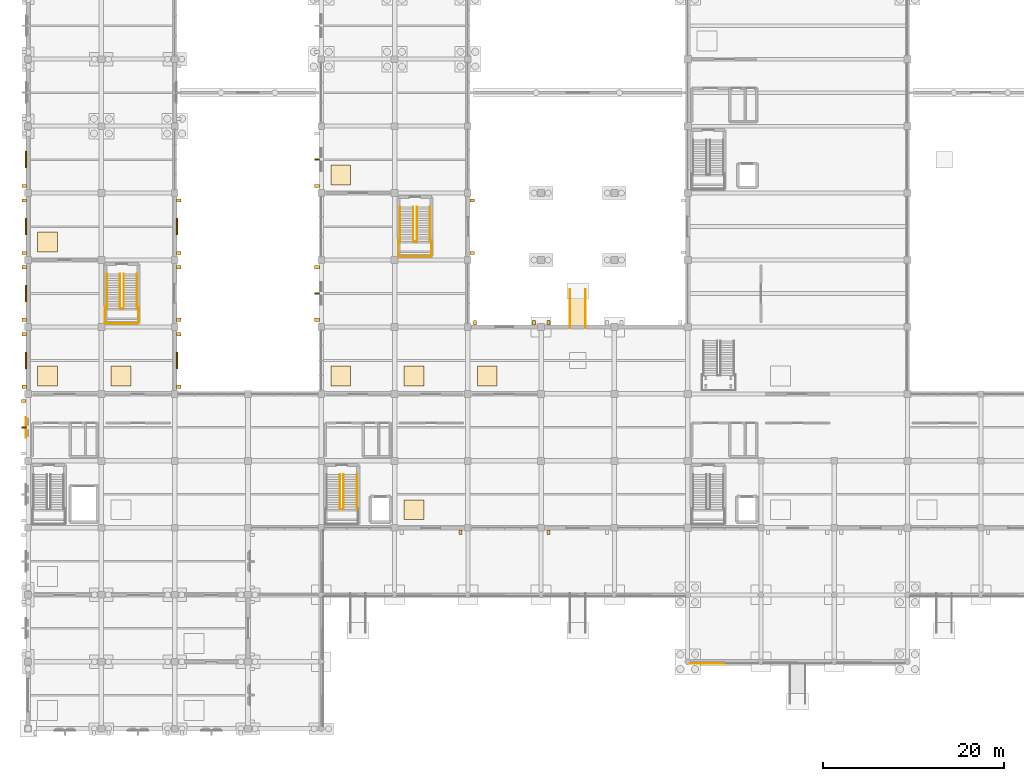
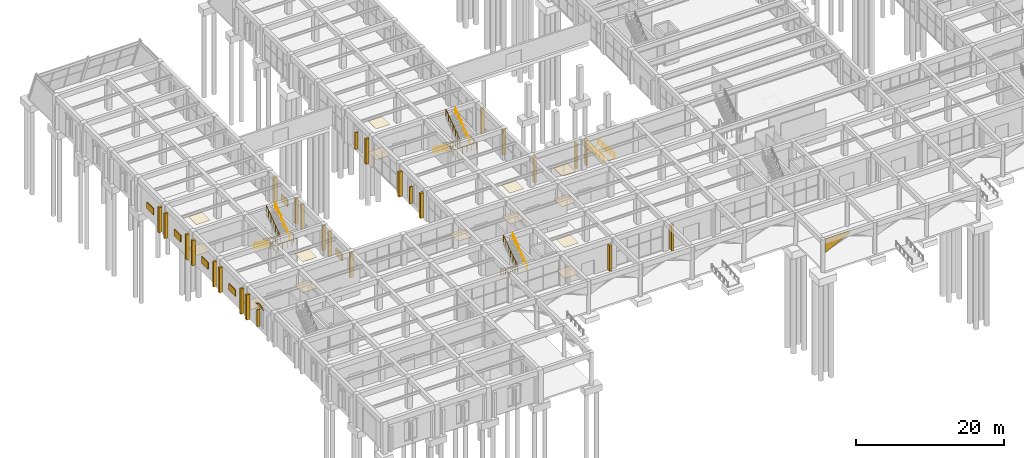
# One storey, part 134 of 140: 33 shading devices, 17 coverings, 12 railings.
"""IFC4 building model written with IfcOpenShell, lengths in metres."""

import ifcopenshell
import ifcopenshell.guid

model = None  # the IFC model being written
_history = None  # IfcOwnerHistory: only IFC2X3 demands one
_inside = {}  # id of a spatial element -> (the spatial element, [elements in it])
_under = {}  # id of a project, library or spatial element -> (it, [spatial elements below it])
_declared = {}  # id of a project -> (the project, [libraries it declares])
_typed = {}  # id of a type object -> (the type object, [elements of that type])
_made_of = {}  # id of a material, layer set ... -> (it, [elements and type objects made of it])


def new_model(schema):
    """Start an empty IFC model of exactly this schema.

    Asked for "IFC4X3", IfcOpenShell would pick the latest addendum, in which some entities
    have other attributes; the version numbers below select the first issue.
    IFC2X3 requires an IfcOwnerHistory on every rooted entity: one is made here for all.
    """
    global model, _history
    if schema == "IFC4X3":
        model = ifcopenshell.file(schema_version=(4, 3, 0, 0))
    else:
        model = ifcopenshell.file(schema=schema)
    _inside.clear()
    _under.clear()
    _declared.clear()
    _typed.clear()
    _made_of.clear()
    _history = None
    if model.schema == "IFC2X3":
        org = make("IfcOrganization", Name="unknown")
        user = make(
            "IfcPersonAndOrganization",
            ThePerson=make("IfcPerson", FamilyName="unknown"),
            TheOrganization=org,
        )
        app = make(
            "IfcApplication",
            ApplicationDeveloper=org,
            Version="unknown",
            ApplicationFullName="unknown",
            ApplicationIdentifier="unknown",
        )
        _history = make(
            "IfcOwnerHistory",
            OwningUser=user,
            OwningApplication=app,
            ChangeAction="ADDED",
            CreationDate=0,
        )
    return model


def make(cls, **values):
    """One entity of the class cls with the attributes given. An attribute that is None is left unset."""
    return model.create_entity(
        cls, **{name: value for name, value in values.items() if value is not None}
    )


def rooted(cls, **values):
    """An entity with a GlobalId (a new one), such as an element, a storey or a relation."""
    return make(cls, GlobalId=ifcopenshell.guid.new(), OwnerHistory=_history, **values)


def si_unit(unit_type, name, prefix=None):
    """IfcSIUnit, for example si_unit("LENGTHUNIT", "METRE", prefix="MILLI")."""
    return make("IfcSIUnit", UnitType=unit_type, Prefix=prefix, Name=name)


def assignment(units):
    """IfcUnitAssignment: the units of a project."""
    return None if units is None else make("IfcUnitAssignment", Units=units)


def point(xyz):
    """IfcCartesianPoint."""
    return None if xyz is None else make("IfcCartesianPoint", Coordinates=xyz)


def direction(xyz):
    """IfcDirection."""
    return None if xyz is None else make("IfcDirection", DirectionRatios=xyz)


def frame(location, z_axis=None, x_axis=None):
    """IfcAxis2Placement3D, a coordinate frame: its origin and axes. An axis left out is left unset."""
    return make(
        "IfcAxis2Placement3D",
        Location=point(location),
        Axis=direction(z_axis),
        RefDirection=direction(x_axis),
    )


def frame_2d(location, x_axis=None):
    """IfcAxis2Placement2D, a coordinate frame in the plane: its origin and x axis."""
    return make(
        "IfcAxis2Placement2D", Location=point(location), RefDirection=direction(x_axis)
    )


def origin():
    """The frame at (0, 0, 0) with its axes left unset."""
    return frame((0.0, 0.0, 0.0))


def origin_2d():
    """The frame at (0, 0) in the plane with its x axis left unset."""
    return frame_2d((0.0, 0.0))


def place(relative_to, where):
    """IfcLocalPlacement: puts the frame where relative to a parent placement (None: the world)."""
    return make(
        "IfcLocalPlacement", PlacementRelTo=relative_to, RelativePlacement=where
    )


def context(
    kind, dimensions, precision=None, world=None, true_north=None, identifier=None
):
    """IfcGeometricRepresentationContext, for example the 3D "Model" context."""
    return make(
        "IfcGeometricRepresentationContext",
        ContextIdentifier=identifier,
        ContextType=kind,
        CoordinateSpaceDimension=dimensions,
        Precision=precision,
        WorldCoordinateSystem=world,
        TrueNorth=true_north,
    )


def subcontext(parent, identifier, kind, view, scale=None):
    """IfcGeometricRepresentationSubContext, for example "Body" below "Model"."""
    return make(
        "IfcGeometricRepresentationSubContext",
        ContextIdentifier=identifier,
        ContextType=kind,
        ParentContext=parent,
        TargetScale=scale,
        TargetView=view,
    )


def project(units=None, contexts=None):
    """IfcProject with its units and contexts."""
    return rooted(
        "IfcProject",
        Name="project",
        RepresentationContexts=contexts,
        UnitsInContext=assignment(units),
    )


def spatial(cls, under=None, at=None, **own):
    """A site, building, storey or space (cls), placed at a placement, below another one or the project."""
    s = rooted(cls, ObjectPlacement=at, **own)
    if under is not None:
        _under.setdefault(under.id(), (under, []))[1].append(s)
    return s


def polyline(points):
    """IfcPolyline through the points."""
    return make("IfcPolyline", Points=[point(p) for p in points])


def profile(cls, at=None, kind="AREA", **sizes):
    """A parametric profile (cls). Its sizes go by their IFC names, for example OverallWidth=200.0."""
    return make(cls, ProfileType=kind, Position=at, **sizes)


def rectangle(**sizes):
    """IfcRectangleProfileDef."""
    return profile("IfcRectangleProfileDef", **sizes)


def circle(**sizes):
    """IfcCircleProfileDef."""
    return profile("IfcCircleProfileDef", **sizes)


def outline(outer, holes=None, kind="AREA"):
    """IfcArbitraryClosedProfileDef: a profile drawn as a closed curve; with holes, ...WithVoids."""
    if holes is None:
        return make("IfcArbitraryClosedProfileDef", ProfileType=kind, OuterCurve=outer)
    return make(
        "IfcArbitraryProfileDefWithVoids",
        ProfileType=kind,
        OuterCurve=outer,
        InnerCurves=holes,
    )


def extrude(swept, where, along, depth):
    """IfcExtrudedAreaSolid: the profile swept, set in the frame where, extruded along a direction by depth."""
    return make(
        "IfcExtrudedAreaSolid",
        SweptArea=swept,
        Position=where,
        ExtrudedDirection=direction(along),
        Depth=depth,
    )


def shape(context_of_items, identifier, shape_type, items):
    """IfcShapeRepresentation: the items that make up one representation, for example the "Body"."""
    return make(
        "IfcShapeRepresentation",
        ContextOfItems=context_of_items,
        RepresentationIdentifier=identifier,
        RepresentationType=shape_type,
        Items=items,
    )


def material(Name=None, Category=None):
    """IfcMaterial."""
    return make("IfcMaterial", Name=Name, Category=Category)


def layer(
    of_material, thickness, ventilated=None, Name=None, Category=None, Priority=None
):
    """IfcMaterialLayer: one layer of a wall or slab, of a material (None: an air gap)."""
    return make(
        "IfcMaterialLayer",
        Material=of_material,
        LayerThickness=thickness,
        IsVentilated=ventilated,
        Name=Name,
        Category=Category,
        Priority=Priority,
    )


def layer_set(layers, Name=None):
    """IfcMaterialLayerSet."""
    return make("IfcMaterialLayerSet", MaterialLayers=layers, LayerSetName=Name)


def made_of(thing, what):
    """Note that an element or type object is made of a material, layer set ...; save() writes the relation."""
    if what is not None:
        _made_of.setdefault(what.id(), (what, []))[1].append(thing)
    return thing


def type_object(cls, material=None, **own):
    """A type object (cls), such as IfcWallType, which elements share."""
    return made_of(rooted(cls, **own), material)


def element(
    cls,
    number,
    at=None,
    inside=None,
    cuts=None,
    type_object=None,
    material=None,
    context=None,
    identifier="Body",
    shape_type=None,
    held_by="IfcProductDefinitionShape",
    body=None,
    shapes=None,
    **own,
):
    """One element of the class cls, such as IfcWall. Its Tag is "e" and its number.

    at: its placement. inside: the storey or other place that contains it. cuts: it is an
    opening in that element (IfcRelVoidsElement). A single representation is given by context,
    identifier, shape_type and body (its items); several are given by shapes. held_by: the class
    of the entity that holds the representations. save() writes the other relations.
    """
    e = rooted(cls, Tag="e%d" % number, ObjectPlacement=at, **own)
    if body is not None:
        shapes = [shape(context, identifier, shape_type, body)]
    if shapes is not None:
        e.Representation = make(held_by, Representations=shapes)
    if inside is not None:
        _inside.setdefault(inside.id(), (inside, []))[1].append(e)
    if cuts is not None:
        rooted(
            "IfcRelVoidsElement", RelatingBuildingElement=cuts, RelatedOpeningElement=e
        )
    if type_object is not None:
        _typed.setdefault(type_object.id(), (type_object, []))[1].append(e)
    return made_of(e, material)


def aggregate(whole, parts):
    """IfcRelAggregates: a whole, such as a stair, and the parts it consists of."""
    return rooted("IfcRelAggregates", RelatingObject=whole, RelatedObjects=parts)


def save(model, path):
    """Write the relations noted so far, then the file.

    IfcRelAggregates (storeys below a building ...), IfcRelContainedInSpatialStructure (elements
    in a storey), IfcRelDefinesByType, IfcRelAssociatesMaterial and IfcRelDeclares: one each for
    every whole, place, type object, material and project.
    """
    for whole, parts in _under.values():
        aggregate(whole, parts)
    for where, things in _inside.values():
        rooted(
            "IfcRelContainedInSpatialStructure",
            RelatedElements=things,
            RelatingStructure=where,
        )
    for kind, things in _typed.values():
        rooted("IfcRelDefinesByType", RelatedObjects=things, RelatingType=kind)
    for what, things in _made_of.values():
        rooted("IfcRelAssociatesMaterial", RelatedObjects=things, RelatingMaterial=what)
    for by, libraries in _declared.values():
        rooted("IfcRelDeclares", RelatingContext=by, RelatedDefinitions=libraries)
    model.write(path)


model = new_model("IFC4")

# Units and contexts
model_context = context("Model", 3, precision=1e-05, world=origin(), true_north=direction((0.0, 1.0)))
body_context = subcontext(model_context, "Body", "Model", "MODEL_VIEW")
ifc_project = project(units=[si_unit("LENGTHUNIT", "METRE"), si_unit("AREAUNIT", "SQUARE_METRE"), si_unit("VOLUMEUNIT", "CUBIC_METRE"), si_unit("PLANEANGLEUNIT", "RADIAN"), si_unit("MASSUNIT", "GRAM", prefix="KILO")], contexts=[model_context])

# Site, building, storey
site_placement = place(None, origin())
site = spatial("IfcSite", under=ifc_project, at=site_placement, CompositionType="ELEMENT")
building_placement = place(site_placement, origin())
building = spatial("IfcBuilding", under=site, at=building_placement, Name="Cimatlan Art Gallery", CompositionType="ELEMENT")
storey_placement = place(building_placement, origin())
storey = spatial("IfcBuildingStorey", under=building, at=storey_placement, Name="L00", CompositionType="ELEMENT", Elevation=0.0)

# Coverings
ifc_material_1 = material(Name="Micro-perforated acoustic gypsum ceiling")
ifc_layer_1 = layer(ifc_material_1, 0.030029296875)
ifc_layer_set_1 = layer_set([ifc_layer_1], Name="Micro-perforated acoustic gypsum ceiling")
covering_type_1 = type_object("IfcCoveringType", Name="COV-CEIL-ACOUSTIC-30", PredefinedType="CEILING", material=ifc_layer_set_1)
for number, where, z_axis, x_axis, name in (
    (1, (12.25, 40.699951171875, 5.10498046875), (0.0, 0.0, 1.0), (1.0, 0.0, 0.0), "CLG-L00-CNS-B1S"),
    (2, (4.14990234375, 55.5, 5.10498046875), (0.0, 0.0, 1.0), (1.0, 0.0, 0.0), "CLG-L00-CNS-01"),
    (3, (44.64990234375, 25.89990234375, 5.10498046875), (0.0, 0.0, 1.0), (1.0, 0.0, 0.0), "CLG-L00-FOY-01"),
    (4, (52.75, 40.699951171875, 5.10498046875), (0.0, 0.0, 1.0), (1.0, 0.0, 0.0), "CLG-L00-SCP-CL"),
    (5, (44.64990234375, 40.699951171875, 5.10498046875), (0.0, 0.0, 1.0), (1.0, 0.0, 0.0), "CLG-L00-GAL-W1E"),
    (6, (36.550048828125, 62.89990234375, 5.10498046875), (0.0, 0.0, 1.0), (1.0, 0.0, 0.0), "CLG-L00-GAL-W2"),
):
    element("IfcCovering", number, at=place(storey_placement, frame(where, z_axis=z_axis, x_axis=x_axis)), inside=storey, type_object=covering_type_1, Name=name, PredefinedType="CEILING", context=body_context, shape_type="SweptSolid", body=[
        extrude(rectangle(XDim=2.199951171875, YDim=2.199951171875, at=origin_2d()), origin(), (0.0, 0.0, 1.0), 0.030029296875),
    ])
ifc_material_2 = material(Name="Queretaro cantera limestone ashlar hood-mould", Category="masonry")
ifc_layer_2 = layer(ifc_material_2, 0.0419921875)
ifc_layer_set_2 = layer_set([ifc_layer_2], Name="Queretaro cantera limestone ashlar hood-mould")
covering_type_2 = type_object("IfcCoveringType", Name="COV-CLAD-CANTERA-42", PredefinedType="CLADDING", material=ifc_layer_set_2)
covering_1_placement = place(storey_placement, frame((75.179931640625, 8.905029296875, 2.85009765625), z_axis=(0.0, -1.0, 0.0), x_axis=(0.890144315747, 0.0, 0.455678721408)))
element("IfcCovering", 7, at=covering_1_placement, inside=storey, type_object=covering_type_2, Name="CLD-ARC-011", PredefinedType="CLADDING", context=body_context, shape_type="SweptSolid", body=[
    extrude(outline(polyline([(0.0, 0.0), (4.235290238400666, 0.0), (4.4083947526854335, 0.338150526196759), (1.0525332966890648, 2.056068205878879), (0.0, 0.0)])), origin(), (0.0, 0.0, -1.0), 0.0419921875),
])
covering_2_placement = place(storey_placement, frame((1.802001953125, 33.8701171875, 3.780029296875), z_axis=(1.0, 0.0, 0.0), x_axis=(0.0, 1.0, 0.0)))
element("IfcCovering", 8, at=covering_2_placement, inside=storey, type_object=covering_type_2, Name="CLD-005", PredefinedType="CLADDING", context=body_context, shape_type="SweptSolid", body=[
    extrude(outline(polyline([(0.0, 0.0), (2.259765625, 0.0), (1.1298828125, 0.52001953125), (0.0, 0.0)])), origin(), (0.0, 0.0, -1.0), 0.0419921875),
])
covering_3_placement = place(storey_placement, frame((61.85009765625, 50.280029296875, -0.360107421875), z_axis=(0.0, 0.083068783756, 0.996543815979), x_axis=(0.0, -0.996543815979, 0.083068783756)))
element("IfcCovering", 9, at=covering_3_placement, inside=storey, type_object=covering_type_2, Name="COV-RMP-05-FL1", PredefinedType="CLADDING", context=body_context, shape_type="SweptSolid", body=[
    extrude(outline(polyline([(0.0, 0.0), (4.335051093696874, 0.0), (4.335051093696874, 1.7998046875), (0.0, 1.7998046875), (0.0, 0.0)])), origin(), (0.0, 0.0, -1.0), 0.02490234375),
])
ifc_material_3 = material(Name="Honed Queretaro limestone terrazzo flooring", Category="masonry")
ifc_layer_3 = layer(ifc_material_3, 0.02001953125)
ifc_layer_set_3 = layer_set([ifc_layer_3], Name="Honed Queretaro limestone terrazzo flooring")
covering_type_3 = type_object("IfcCoveringType", Name="COV-FLR-TERRAZZO-20", PredefinedType="FLOORING", material=ifc_layer_set_3)
for number, where, z_axis, x_axis, name in (
    (10, (4.14990234375, 40.699951171875, 0.0), (0.0, 0.0, 1.0), (1.0, 0.0, 0.0), "FLR-L00-AST-01"),
    (11, (12.25, 40.699951171875, 0.0), (0.0, 0.0, 1.0), (1.0, 0.0, 0.0), "FLR-L00-CNS-B1S"),
    (12, (4.14990234375, 55.5, 0.0), (0.0, 0.0, 1.0), (1.0, 0.0, 0.0), "FLR-L00-CNS-01"),
    (13, (44.64990234375, 25.89990234375, 0.0), (0.0, 0.0, 1.0), (1.0, 0.0, 0.0), "FLR-L00-FOY-01"),
    (14, (52.75, 40.699951171875, 0.0), (0.0, 0.0, 1.0), (1.0, 0.0, 0.0), "FLR-L00-SCP-CL"),
    (15, (36.550048828125, 40.699951171875, 0.0), (0.0, 0.0, 1.0), (1.0, 0.0, 0.0), "FLR-L00-GAL-W1"),
    (16, (44.64990234375, 40.699951171875, 0.0), (0.0, 0.0, 1.0), (1.0, 0.0, 0.0), "FLR-L00-GAL-W1E"),
    (17, (36.550048828125, 62.89990234375, 0.0), (0.0, 0.0, 1.0), (1.0, 0.0, 0.0), "FLR-L00-GAL-W2"),
):
    element("IfcCovering", number, at=place(storey_placement, frame(where, z_axis=z_axis, x_axis=x_axis)), inside=storey, type_object=covering_type_3, Name=name, PredefinedType="FLOORING", context=body_context, shape_type="SweptSolid", body=[
        extrude(rectangle(XDim=2.199951171875, YDim=2.199951171875, at=origin_2d()), origin(), (0.0, 0.0, 1.0), 0.02001953125),
    ])

# Railings
ifc_material_4 = material(Name="Painted steel and bronze interior balustrade", Category="steel")
railing_type_1 = type_object("IfcRailingType", Name="RL-BAL-INT-1120", PredefinedType="BALUSTRADE", material=ifc_material_4)
railing_1_placement = place(storey_placement, frame((36.469970703125, 29.780029296875, 0.0)))
element("IfcRailing", 18, at=railing_1_placement, inside=storey, type_object=railing_type_1, Name="STR-C2-L00-GRD", PredefinedType="BALUSTRADE", context=body_context, shape_type="SweptSolid", body=[
    extrude(circle(Radius=0.02392578125, at=origin_2d()), frame((0.0, 0.0, 1.09619140625), z_axis=(0.0, -0.816969308413, 0.5766811503), x_axis=(1.0, 0.0, 0.0)), (0.0, 0.0, 1.0), 4.681884765625),
    extrude(circle(Radius=0.02392578125, at=origin_2d()), frame((0.0, -3.824951171875, 3.7958984375), z_axis=(1.0, 0.0, 0.0), x_axis=(0.0, 1.0, 0.0)), (0.0, 0.0, 1.0), 0.400146484375),
    extrude(circle(Radius=0.02392578125, at=origin_2d()), frame((0.400146484375, -3.824951171875, 3.7958984375), z_axis=(0.0, 0.816969308413, 0.5766811503), x_axis=(-1.0, 0.0, 0.0)), (0.0, 0.0, 1.0), 4.681884765625),
    extrude(circle(Radius=0.02001953125, at=origin_2d()), origin(), (0.0, 0.0, 1.0), 1.072021484375),
    extrude(circle(Radius=0.02001953125, at=origin_2d()), frame((0.0, -0.637451171875, 0.449951171875)), (0.0, 0.0, 1.0), 1.072021484375),
    extrude(circle(Radius=0.02001953125, at=origin_2d()), frame((0.0, -1.27490234375, 0.89990234375)), (0.0, 0.0, 1.0), 1.072021484375),
    extrude(circle(Radius=0.02001953125, at=origin_2d()), frame((0.0, -1.91259765625, 1.35009765625)), (0.0, 0.0, 1.0), 1.072021484375),
    extrude(circle(Radius=0.02001953125, at=origin_2d()), frame((0.0, -2.550048828125, 1.800048828125)), (0.0, 0.0, 1.0), 1.072021484375),
    extrude(circle(Radius=0.02001953125, at=origin_2d()), frame((0.0, -3.1875, 2.25)), (0.0, 0.0, 1.0), 1.072021484375),
    extrude(circle(Radius=0.02001953125, at=origin_2d()), frame((0.0, -3.824951171875, 2.699951171875)), (0.0, 0.0, 1.0), 1.072021484375),
    extrude(circle(Radius=0.02001953125, at=origin_2d()), frame((0.400146484375, -3.824951171875, 2.699951171875)), (0.0, 0.0, 1.0), 1.072021484375),
    extrude(circle(Radius=0.02001953125, at=origin_2d()), frame((0.400146484375, -3.1875, 3.14990234375)), (0.0, 0.0, 1.0), 1.072021484375),
    extrude(circle(Radius=0.02001953125, at=origin_2d()), frame((0.400146484375, -2.550048828125, 3.599853515625)), (0.0, 0.0, 1.0), 1.072021484375),
    extrude(circle(Radius=0.02001953125, at=origin_2d()), frame((0.400146484375, -1.91259765625, 4.0498046875)), (0.0, 0.0, 1.0), 1.072021484375),
    extrude(circle(Radius=0.02001953125, at=origin_2d()), frame((0.400146484375, -1.27490234375, 4.5)), (0.0, 0.0, 1.0), 1.072021484375),
    extrude(circle(Radius=0.02001953125, at=origin_2d()), frame((0.400146484375, -0.637451171875, 4.949951171875)), (0.0, 0.0, 1.0), 1.072021484375),
    extrude(circle(Radius=0.02001953125, at=origin_2d()), frame((0.400146484375, 0.0, 5.39990234375)), (0.0, 0.0, 1.0), 1.072021484375),
])
railing_2_placement = place(storey_placement, frame((10.510009765625, 48.264892578125, 2.699951171875)))
element("IfcRailing", 19, at=railing_2_placement, inside=storey, type_object=railing_type_1, Name="STR-C7-L00-LGRD", PredefinedType="BALUSTRADE", context=body_context, shape_type="SweptSolid", body=[
    extrude(circle(Radius=0.02392578125, at=origin_2d()), frame((0.0, 0.0, 1.09619140625), z_axis=(0.0, -1.0, 0.0), x_axis=(1.0, 0.0, 0.0)), (0.0, 0.0, 1.0), 1.7548828125),
    extrude(circle(Radius=0.02392578125, at=origin_2d()), frame((0.0, -1.7548828125, 1.09619140625), z_axis=(1.0, 0.0, 0.0), x_axis=(0.0, 1.0, 0.0)), (0.0, 0.0, 1.0), 3.669921875),
    extrude(circle(Radius=0.02392578125, at=origin_2d()), frame((3.669921875, -1.7548828125, 1.09619140625), z_axis=(0.0, 1.0, 0.0), x_axis=(-1.0, 0.0, 0.0)), (0.0, 0.0, 1.0), 1.7548828125),
    extrude(circle(Radius=0.02001953125, at=origin_2d()), origin(), (0.0, 0.0, 1.0), 1.072021484375),
    extrude(circle(Radius=0.02001953125, at=origin_2d()), frame((0.0, -0.87744140625, 0.0)), (0.0, 0.0, 1.0), 1.072021484375),
    extrude(circle(Radius=0.02001953125, at=origin_2d()), frame((0.0, -1.7548828125, 0.0)), (0.0, 0.0, 1.0), 1.072021484375),
    extrude(circle(Radius=0.02001953125, at=origin_2d()), frame((0.73388671875, -1.7548828125, 0.0)), (0.0, 0.0, 1.0), 1.072021484375),
    extrude(circle(Radius=0.02001953125, at=origin_2d()), frame((1.468017578125, -1.7548828125, 0.0)), (0.0, 0.0, 1.0), 1.072021484375),
    extrude(circle(Radius=0.02001953125, at=origin_2d()), frame((2.201904296875, -1.7548828125, 0.0)), (0.0, 0.0, 1.0), 1.072021484375),
    extrude(circle(Radius=0.02001953125, at=origin_2d()), frame((2.93603515625, -1.7548828125, 0.0)), (0.0, 0.0, 1.0), 1.072021484375),
    extrude(circle(Radius=0.02001953125, at=origin_2d()), frame((3.669921875, -1.7548828125, 0.0)), (0.0, 0.0, 1.0), 1.072021484375),
    extrude(circle(Radius=0.02001953125, at=origin_2d()), frame((3.669921875, -0.87744140625, 0.0)), (0.0, 0.0, 1.0), 1.072021484375),
    extrude(circle(Radius=0.02001953125, at=origin_2d()), frame((3.669921875, 0.0, 0.0)), (0.0, 0.0, 1.0), 1.072021484375),
])
railing_3_placement = place(storey_placement, frame((12.169921875, 51.97998046875, 0.0)))
element("IfcRailing", 20, at=railing_3_placement, inside=storey, type_object=railing_type_1, Name="STR-C7-L00-GRD", PredefinedType="BALUSTRADE", context=body_context, shape_type="SweptSolid", body=[
    extrude(circle(Radius=0.02392578125, at=origin_2d()), frame((0.0, 0.0, 1.09619140625), z_axis=(0.0, -0.816969308413, 0.5766811503), x_axis=(1.0, 0.0, 0.0)), (0.0, 0.0, 1.0), 4.681884765625),
    extrude(circle(Radius=0.02392578125, at=origin_2d()), frame((0.0, -3.824951171875, 3.7958984375), z_axis=(1.0, 0.0, 0.0), x_axis=(0.0, 1.0, 0.0)), (0.0, 0.0, 1.0), 0.400146484375),
    extrude(circle(Radius=0.02392578125, at=origin_2d()), frame((0.400146484375, -3.824951171875, 3.7958984375), z_axis=(0.0, 0.816969308413, 0.5766811503), x_axis=(-1.0, 0.0, 0.0)), (0.0, 0.0, 1.0), 4.681884765625),
    extrude(circle(Radius=0.02001953125, at=origin_2d()), origin(), (0.0, 0.0, 1.0), 1.072021484375),
    extrude(circle(Radius=0.02001953125, at=origin_2d()), frame((0.0, -0.637451171875, 0.449951171875)), (0.0, 0.0, 1.0), 1.072021484375),
    extrude(circle(Radius=0.02001953125, at=origin_2d()), frame((0.0, -1.27490234375, 0.89990234375)), (0.0, 0.0, 1.0), 1.072021484375),
    extrude(circle(Radius=0.02001953125, at=origin_2d()), frame((0.0, -1.91259765625, 1.35009765625)), (0.0, 0.0, 1.0), 1.072021484375),
    extrude(circle(Radius=0.02001953125, at=origin_2d()), frame((0.0, -2.550048828125, 1.800048828125)), (0.0, 0.0, 1.0), 1.072021484375),
    extrude(circle(Radius=0.02001953125, at=origin_2d()), frame((0.0, -3.1875, 2.25)), (0.0, 0.0, 1.0), 1.072021484375),
    extrude(circle(Radius=0.02001953125, at=origin_2d()), frame((0.0, -3.824951171875, 2.699951171875)), (0.0, 0.0, 1.0), 1.072021484375),
    extrude(circle(Radius=0.02001953125, at=origin_2d()), frame((0.400146484375, -3.824951171875, 2.699951171875)), (0.0, 0.0, 1.0), 1.072021484375),
    extrude(circle(Radius=0.02001953125, at=origin_2d()), frame((0.400146484375, -3.1875, 3.14990234375)), (0.0, 0.0, 1.0), 1.072021484375),
    extrude(circle(Radius=0.02001953125, at=origin_2d()), frame((0.400146484375, -2.550048828125, 3.599853515625)), (0.0, 0.0, 1.0), 1.072021484375),
    extrude(circle(Radius=0.02001953125, at=origin_2d()), frame((0.400146484375, -1.91259765625, 4.0498046875)), (0.0, 0.0, 1.0), 1.072021484375),
    extrude(circle(Radius=0.02001953125, at=origin_2d()), frame((0.400146484375, -1.27490234375, 4.5)), (0.0, 0.0, 1.0), 1.072021484375),
    extrude(circle(Radius=0.02001953125, at=origin_2d()), frame((0.400146484375, -0.637451171875, 4.949951171875)), (0.0, 0.0, 1.0), 1.072021484375),
    extrude(circle(Radius=0.02001953125, at=origin_2d()), frame((0.400146484375, 0.0, 5.39990234375)), (0.0, 0.0, 1.0), 1.072021484375),
])
railing_4_placement = place(storey_placement, frame((42.909912109375, 55.6650390625, 2.699951171875)))
element("IfcRailing", 21, at=railing_4_placement, inside=storey, type_object=railing_type_1, Name="STR-C8-L00-LGRD", PredefinedType="BALUSTRADE", context=body_context, shape_type="SweptSolid", body=[
    extrude(circle(Radius=0.02392578125, at=origin_2d()), frame((0.0, 0.0, 1.09619140625), z_axis=(0.0, -1.0, 0.0), x_axis=(1.0, 0.0, 0.0)), (0.0, 0.0, 1.0), 1.755126953125),
    extrude(circle(Radius=0.02392578125, at=origin_2d()), frame((0.0, -1.755126953125, 1.09619140625), z_axis=(1.0, 0.0, 0.0), x_axis=(0.0, 1.0, 0.0)), (0.0, 0.0, 1.0), 3.670166015625),
    extrude(circle(Radius=0.02392578125, at=origin_2d()), frame((3.670166015625, -1.755126953125, 1.09619140625), z_axis=(0.0, 1.0, 0.0), x_axis=(-1.0, 0.0, 0.0)), (0.0, 0.0, 1.0), 1.755126953125),
    extrude(circle(Radius=0.02001953125, at=origin_2d()), origin(), (0.0, 0.0, 1.0), 1.072021484375),
    extrude(circle(Radius=0.02001953125, at=origin_2d()), frame((0.0, -0.87744140625, 0.0)), (0.0, 0.0, 1.0), 1.072021484375),
    extrude(circle(Radius=0.02001953125, at=origin_2d()), frame((0.0, -1.755126953125, 0.0)), (0.0, 0.0, 1.0), 1.072021484375),
    extrude(circle(Radius=0.02001953125, at=origin_2d()), frame((0.734130859375, -1.755126953125, 0.0)), (0.0, 0.0, 1.0), 1.072021484375),
    extrude(circle(Radius=0.02001953125, at=origin_2d()), frame((1.468017578125, -1.755126953125, 0.0)), (0.0, 0.0, 1.0), 1.072021484375),
    extrude(circle(Radius=0.02001953125, at=origin_2d()), frame((2.2021484375, -1.755126953125, 0.0)), (0.0, 0.0, 1.0), 1.072021484375),
    extrude(circle(Radius=0.02001953125, at=origin_2d()), frame((2.93603515625, -1.755126953125, 0.0)), (0.0, 0.0, 1.0), 1.072021484375),
    extrude(circle(Radius=0.02001953125, at=origin_2d()), frame((3.670166015625, -1.755126953125, 0.0)), (0.0, 0.0, 1.0), 1.072021484375),
    extrude(circle(Radius=0.02001953125, at=origin_2d()), frame((3.670166015625, -0.87744140625, 0.0)), (0.0, 0.0, 1.0), 1.072021484375),
    extrude(circle(Radius=0.02001953125, at=origin_2d()), frame((3.670166015625, 0.0, 0.0)), (0.0, 0.0, 1.0), 1.072021484375),
])
railing_5_placement = place(storey_placement, frame((44.570068359375, 59.3798828125, 0.0)))
element("IfcRailing", 22, at=railing_5_placement, inside=storey, type_object=railing_type_1, Name="STR-C8-L00-GRD", PredefinedType="BALUSTRADE", context=body_context, shape_type="SweptSolid", body=[
    extrude(circle(Radius=0.02392578125, at=origin_2d()), frame((0.0, 0.0, 1.09619140625), z_axis=(0.0, -0.816969308413, 0.5766811503), x_axis=(1.0, 0.0, 0.0)), (0.0, 0.0, 1.0), 4.681884765625),
    extrude(circle(Radius=0.02392578125, at=origin_2d()), frame((0.0, -3.824951171875, 3.7958984375), z_axis=(1.0, 0.0, 0.0), x_axis=(0.0, 1.0, 0.0)), (0.0, 0.0, 1.0), 0.39990234375),
    extrude(circle(Radius=0.02392578125, at=origin_2d()), frame((0.39990234375, -3.824951171875, 3.7958984375), z_axis=(0.0, 0.816969308413, 0.5766811503), x_axis=(-1.0, 0.0, 0.0)), (0.0, 0.0, 1.0), 4.681884765625),
    extrude(circle(Radius=0.02001953125, at=origin_2d()), origin(), (0.0, 0.0, 1.0), 1.072021484375),
    extrude(circle(Radius=0.02001953125, at=origin_2d()), frame((0.0, -0.637451171875, 0.449951171875)), (0.0, 0.0, 1.0), 1.072021484375),
    extrude(circle(Radius=0.02001953125, at=origin_2d()), frame((0.0, -1.27490234375, 0.89990234375)), (0.0, 0.0, 1.0), 1.072021484375),
    extrude(circle(Radius=0.02001953125, at=origin_2d()), frame((0.0, -1.91259765625, 1.35009765625)), (0.0, 0.0, 1.0), 1.072021484375),
    extrude(circle(Radius=0.02001953125, at=origin_2d()), frame((0.0, -2.550048828125, 1.800048828125)), (0.0, 0.0, 1.0), 1.072021484375),
    extrude(circle(Radius=0.02001953125, at=origin_2d()), frame((0.0, -3.1875, 2.25)), (0.0, 0.0, 1.0), 1.072021484375),
    extrude(circle(Radius=0.02001953125, at=origin_2d()), frame((0.0, -3.824951171875, 2.699951171875)), (0.0, 0.0, 1.0), 1.072021484375),
    extrude(circle(Radius=0.02001953125, at=origin_2d()), frame((0.39990234375, -3.824951171875, 2.699951171875)), (0.0, 0.0, 1.0), 1.072021484375),
    extrude(circle(Radius=0.02001953125, at=origin_2d()), frame((0.39990234375, -3.1875, 3.14990234375)), (0.0, 0.0, 1.0), 1.072021484375),
    extrude(circle(Radius=0.02001953125, at=origin_2d()), frame((0.39990234375, -2.550048828125, 3.599853515625)), (0.0, 0.0, 1.0), 1.072021484375),
    extrude(circle(Radius=0.02001953125, at=origin_2d()), frame((0.39990234375, -1.91259765625, 4.0498046875)), (0.0, 0.0, 1.0), 1.072021484375),
    extrude(circle(Radius=0.02001953125, at=origin_2d()), frame((0.39990234375, -1.27490234375, 4.5)), (0.0, 0.0, 1.0), 1.072021484375),
    extrude(circle(Radius=0.02001953125, at=origin_2d()), frame((0.39990234375, -0.637451171875, 4.949951171875)), (0.0, 0.0, 1.0), 1.072021484375),
    extrude(circle(Radius=0.02001953125, at=origin_2d()), frame((0.39990234375, 0.0, 5.39990234375)), (0.0, 0.0, 1.0), 1.072021484375),
])
ifc_material_5 = material(Name="Brushed bronze handrail")
railing_type_2 = type_object("IfcRailingType", Name="RL-HND-EXT-920", PredefinedType="HANDRAIL", material=ifc_material_5)
for number, where, name in (
    (23, (61.909912109375, 50.280029296875, -0.360107421875), "RMP-05-HR-L"),
    (24, (63.590087890625, 50.280029296875, -0.360107421875), "RMP-05-HR-R"),
):
    element("IfcRailing", number, at=place(storey_placement, frame(where)), inside=storey, type_object=railing_type_2, Name=name, PredefinedType="HANDRAIL", context=body_context, shape_type="SweptSolid", body=[
        extrude(circle(Radius=0.02197265625, at=origin_2d()), frame((0.0, 0.0, 0.89794921875), z_axis=(0.0, -0.996543815979, 0.083068783756), x_axis=(1.0, 0.0, 0.0)), (0.0, 0.0, 1.0), 4.3349609375),
        extrude(circle(Radius=0.01904296875, at=origin_2d()), origin(), (0.0, 0.0, 1.0), 0.8759765625),
        extrude(circle(Radius=0.01904296875, at=origin_2d()), frame((0.0, -1.080078125, 0.090087890625)), (0.0, 0.0, 1.0), 0.8759765625),
        extrude(circle(Radius=0.01904296875, at=origin_2d()), frame((0.0, -2.16015625, 0.18017578125)), (0.0, 0.0, 1.0), 0.8759765625),
        extrude(circle(Radius=0.01904296875, at=origin_2d()), frame((0.0, -3.239990234375, 0.27001953125)), (0.0, 0.0, 1.0), 0.8759765625),
        extrude(circle(Radius=0.01904296875, at=origin_2d()), frame((0.0, -4.320068359375, 0.360107421875)), (0.0, 0.0, 1.0), 0.8759765625),
    ])
ifc_material_6 = material(Name="Brushed bronze stair handrail")
railing_type_3 = type_object("IfcRailingType", Name="RL-HND-INT-920", PredefinedType="HANDRAIL", material=ifc_material_6)
railing_6_placement = place(storey_placement, frame((38.330078125, 25.955078125, 2.699951171875)))
element("IfcRailing", 25, at=railing_6_placement, inside=storey, type_object=railing_type_3, Name="STR-C2-L00-HR2", PredefinedType="HANDRAIL", context=body_context, shape_type="SweptSolid", body=[
    extrude(circle(Radius=0.02197265625, at=origin_2d()), frame((0.0, 0.0, 0.89794921875), z_axis=(0.0, 0.816969308413, 0.5766811503), x_axis=(-1.0, 0.0, 0.0)), (0.0, 0.0, 1.0), 4.681884765625),
    extrude(circle(Radius=0.01904296875, at=origin_2d()), origin(), (0.0, 0.0, 1.0), 0.8759765625),
    extrude(circle(Radius=0.01904296875, at=origin_2d()), frame((0.0, 0.764892578125, 0.5400390625)), (0.0, 0.0, 1.0), 0.8759765625),
    extrude(circle(Radius=0.01904296875, at=origin_2d()), frame((0.0, 1.530029296875, 1.080078125)), (0.0, 0.0, 1.0), 0.8759765625),
    extrude(circle(Radius=0.01904296875, at=origin_2d()), frame((0.0, 2.294921875, 1.619873046875)), (0.0, 0.0, 1.0), 0.8759765625),
    extrude(circle(Radius=0.01904296875, at=origin_2d()), frame((0.0, 3.06005859375, 2.159912109375)), (0.0, 0.0, 1.0), 0.8759765625),
    extrude(circle(Radius=0.01904296875, at=origin_2d()), frame((0.0, 3.824951171875, 2.699951171875)), (0.0, 0.0, 1.0), 0.8759765625),
])
railing_7_placement = place(storey_placement, frame((10.7099609375, 51.97998046875, 0.0)))
element("IfcRailing", 26, at=railing_7_placement, inside=storey, type_object=railing_type_3, Name="STR-C7-L00-HR1", PredefinedType="HANDRAIL", context=body_context, shape_type="SweptSolid", body=[
    extrude(circle(Radius=0.02197265625, at=origin_2d()), frame((0.0, 0.0, 0.89794921875), z_axis=(0.0, -0.816969308413, 0.5766811503), x_axis=(1.0, 0.0, 0.0)), (0.0, 0.0, 1.0), 4.681884765625),
    extrude(circle(Radius=0.01904296875, at=origin_2d()), origin(), (0.0, 0.0, 1.0), 0.8759765625),
    extrude(circle(Radius=0.01904296875, at=origin_2d()), frame((0.0, -0.764892578125, 0.5400390625)), (0.0, 0.0, 1.0), 0.8759765625),
    extrude(circle(Radius=0.01904296875, at=origin_2d()), frame((0.0, -1.530029296875, 1.080078125)), (0.0, 0.0, 1.0), 0.8759765625),
    extrude(circle(Radius=0.01904296875, at=origin_2d()), frame((0.0, -2.294921875, 1.619873046875)), (0.0, 0.0, 1.0), 0.8759765625),
    extrude(circle(Radius=0.01904296875, at=origin_2d()), frame((0.0, -3.06005859375, 2.159912109375)), (0.0, 0.0, 1.0), 0.8759765625),
    extrude(circle(Radius=0.01904296875, at=origin_2d()), frame((0.0, -3.824951171875, 2.699951171875)), (0.0, 0.0, 1.0), 0.8759765625),
])
railing_8_placement = place(storey_placement, frame((14.030029296875, 48.155029296875, 2.699951171875)))
element("IfcRailing", 27, at=railing_8_placement, inside=storey, type_object=railing_type_3, Name="STR-C7-L00-HR2", PredefinedType="HANDRAIL", context=body_context, shape_type="SweptSolid", body=[
    extrude(circle(Radius=0.02197265625, at=origin_2d()), frame((0.0, 0.0, 0.89794921875), z_axis=(0.0, 0.816969308413, 0.5766811503), x_axis=(-1.0, 0.0, 0.0)), (0.0, 0.0, 1.0), 4.681884765625),
    extrude(circle(Radius=0.01904296875, at=origin_2d()), origin(), (0.0, 0.0, 1.0), 0.8759765625),
    extrude(circle(Radius=0.01904296875, at=origin_2d()), frame((0.0, 0.764892578125, 0.5400390625)), (0.0, 0.0, 1.0), 0.8759765625),
    extrude(circle(Radius=0.01904296875, at=origin_2d()), frame((0.0, 1.530029296875, 1.080078125)), (0.0, 0.0, 1.0), 0.8759765625),
    extrude(circle(Radius=0.01904296875, at=origin_2d()), frame((0.0, 2.294921875, 1.619873046875)), (0.0, 0.0, 1.0), 0.8759765625),
    extrude(circle(Radius=0.01904296875, at=origin_2d()), frame((0.0, 3.06005859375, 2.159912109375)), (0.0, 0.0, 1.0), 0.8759765625),
    extrude(circle(Radius=0.01904296875, at=origin_2d()), frame((0.0, 3.824951171875, 2.699951171875)), (0.0, 0.0, 1.0), 0.8759765625),
])
railing_9_placement = place(storey_placement, frame((43.110107421875, 59.3798828125, 0.0)))
element("IfcRailing", 28, at=railing_9_placement, inside=storey, type_object=railing_type_3, Name="STR-C8-L00-HR1", PredefinedType="HANDRAIL", context=body_context, shape_type="SweptSolid", body=[
    extrude(circle(Radius=0.02197265625, at=origin_2d()), frame((0.0, 0.0, 0.89794921875), z_axis=(0.0, -0.816969308413, 0.5766811503), x_axis=(1.0, 0.0, 0.0)), (0.0, 0.0, 1.0), 4.681884765625),
    extrude(circle(Radius=0.01904296875, at=origin_2d()), origin(), (0.0, 0.0, 1.0), 0.8759765625),
    extrude(circle(Radius=0.01904296875, at=origin_2d()), frame((0.0, -0.764892578125, 0.5400390625)), (0.0, 0.0, 1.0), 0.8759765625),
    extrude(circle(Radius=0.01904296875, at=origin_2d()), frame((0.0, -1.530029296875, 1.080078125)), (0.0, 0.0, 1.0), 0.8759765625),
    extrude(circle(Radius=0.01904296875, at=origin_2d()), frame((0.0, -2.294921875, 1.619873046875)), (0.0, 0.0, 1.0), 0.8759765625),
    extrude(circle(Radius=0.01904296875, at=origin_2d()), frame((0.0, -3.06005859375, 2.159912109375)), (0.0, 0.0, 1.0), 0.8759765625),
    extrude(circle(Radius=0.01904296875, at=origin_2d()), frame((0.0, -3.824951171875, 2.699951171875)), (0.0, 0.0, 1.0), 0.8759765625),
])
railing_10_placement = place(storey_placement, frame((46.429931640625, 55.554931640625, 2.699951171875)))
element("IfcRailing", 29, at=railing_10_placement, inside=storey, type_object=railing_type_3, Name="STR-C8-L00-HR2", PredefinedType="HANDRAIL", context=body_context, shape_type="SweptSolid", body=[
    extrude(circle(Radius=0.02197265625, at=origin_2d()), frame((0.0, 0.0, 0.89794921875), z_axis=(0.0, 0.816969308413, 0.5766811503), x_axis=(-1.0, 0.0, 0.0)), (0.0, 0.0, 1.0), 4.681884765625),
    extrude(circle(Radius=0.01904296875, at=origin_2d()), origin(), (0.0, 0.0, 1.0), 0.8759765625),
    extrude(circle(Radius=0.01904296875, at=origin_2d()), frame((0.0, 0.764892578125, 0.5400390625)), (0.0, 0.0, 1.0), 0.8759765625),
    extrude(circle(Radius=0.01904296875, at=origin_2d()), frame((0.0, 1.530029296875, 1.080078125)), (0.0, 0.0, 1.0), 0.8759765625),
    extrude(circle(Radius=0.01904296875, at=origin_2d()), frame((0.0, 2.294921875, 1.619873046875)), (0.0, 0.0, 1.0), 0.8759765625),
    extrude(circle(Radius=0.01904296875, at=origin_2d()), frame((0.0, 3.06005859375, 2.159912109375)), (0.0, 0.0, 1.0), 0.8759765625),
    extrude(circle(Radius=0.01904296875, at=origin_2d()), frame((0.0, 3.824951171875, 2.699951171875)), (0.0, 0.0, 1.0), 0.8759765625),
])

# Shading devices
ifc_material_7 = material(Name="Queretaro cantera limestone buttress pilaster", Category="masonry")
shading_device_type_1 = type_object("IfcShadingDeviceType", Name="SHD-BUT-520", PredefinedType="USERDEFINED", material=ifc_material_7)
for number, where, z_axis, x_axis, name in (
    (30, (1.52197265625, 37.90087890625, 0.06005859375), (0.0, 0.0, 1.0), (0.0, 1.0, 0.0), "BUT-0010"),
    (31, (1.5595703125, 39.4990234375, 0.06005859375), (0.0, 0.0, 1.0), (0.0, 1.0, 0.0), "BUT-0011"),
    (32, (1.5595703125, 45.301025390625, 0.06005859375), (0.0, 0.0, 1.0), (0.0, 1.0, 0.0), "BUT-0012"),
    (33, (1.5595703125, 46.89892578125, 0.06005859375), (0.0, 0.0, 1.0), (0.0, 1.0, 0.0), "BUT-0013"),
    (34, (1.5595703125, 52.700927734375, 0.06005859375), (0.0, 0.0, 1.0), (0.0, 1.0, 0.0), "BUT-0014"),
    (35, (1.5595703125, 54.299072265625, 0.06005859375), (0.0, 0.0, 1.0), (0.0, 1.0, 0.0), "BUT-0015"),
    (36, (1.5595703125, 60.10107421875, 0.06005859375), (0.0, 0.0, 1.0), (0.0, 1.0, 0.0), "BUT-0016"),
    (37, (1.5595703125, 61.698974609375, 0.06005859375), (0.0, 0.0, 1.0), (0.0, 1.0, 0.0), "BUT-0017"),
    (38, (18.640380859375, 45.301025390625, 0.06005859375), (0.0, 0.0, 1.0), (0.0, -1.0, 0.0), "BUT-0027"),
    (39, (18.640380859375, 39.4990234375, 0.06005859375), (0.0, 0.0, 1.0), (0.0, -1.0, 0.0), "BUT-0028"),
    (40, (18.640380859375, 52.700927734375, 0.06005859375), (0.0, 0.0, 1.0), (0.0, -1.0, 0.0), "BUT-0029"),
    (41, (18.640380859375, 46.89892578125, 0.06005859375), (0.0, 0.0, 1.0), (0.0, -1.0, 0.0), "BUT-0030"),
    (42, (18.640380859375, 60.10107421875, 0.06005859375), (0.0, 0.0, 1.0), (0.0, -1.0, 0.0), "BUT-0031"),
    (43, (18.640380859375, 54.299072265625, 0.06005859375), (0.0, 0.0, 1.0), (0.0, -1.0, 0.0), "BUT-0032"),
    (44, (33.922119140625, 46.89892578125, 0.06005859375), (0.0, 0.0, 1.0), (0.0, 1.0, 0.0), "BUT-0045"),
    (45, (33.922119140625, 52.700927734375, 0.06005859375), (0.0, 0.0, 1.0), (0.0, 1.0, 0.0), "BUT-0046"),
    (46, (33.922119140625, 61.698974609375, 0.06005859375), (0.0, 0.0, 1.0), (0.0, 1.0, 0.0), "BUT-0047"),
    (47, (49.801025390625, 23.422119140625, 0.06005859375), (0.0, 0.0, 1.0), (-1.0, 0.0, 0.0), "BUT-0053"),
    (48, (51.077880859375, 60.10107421875, 0.06005859375), (0.0, 0.0, 1.0), (0.0, -1.0, 0.0), "BUT-0055"),
    (49, (51.077880859375, 54.299072265625, 0.06005859375), (0.0, 0.0, 1.0), (0.0, -1.0, 0.0), "BUT-0056"),
    (50, (51.39892578125, 46.577880859375, 0.06005859375), (0.0, 0.0, 1.0), (1.0, 0.0, 0.0), "BUT-0057"),
    (51, (57.90087890625, 46.577880859375, 0.06005859375), (0.0, 0.0, 1.0), (1.0, 0.0, 0.0), "BUT-0058"),
    (52, (59.4990234375, 23.422119140625, 0.06005859375), (0.0, 0.0, 1.0), (-1.0, 0.0, 0.0), "BUT-0060"),
    (53, (59.4990234375, 46.577880859375, 0.06005859375), (0.0, 0.0, 1.0), (1.0, 0.0, 0.0), "BUT-0061"),
):
    element("IfcShadingDevice", number, at=place(storey_placement, frame(where, z_axis=z_axis, x_axis=x_axis)), inside=storey, type_object=shading_device_type_1, Name=name, ObjectType="FIN", PredefinedType="USERDEFINED", context=body_context, shape_type="SweptSolid", body=[
        extrude(rectangle(XDim=0.340087890625, YDim=0.52001953125, at=origin_2d()), origin(), (0.0, 0.0, 1.0), 4.14990234375),
    ])
ifc_material_8 = material(Name="Queretaro cantera limestone lancet mullion fin", Category="masonry")
shading_device_type_2 = type_object("IfcShadingDeviceType", Name="SHD-FIN-480", PredefinedType="USERDEFINED", material=ifc_material_8)
for number, where, z_axis, x_axis, name in (
    (54, (1.5419921875, 35.0, 0.64990234375), (0.0, 0.0, 1.0), (0.0, 1.0, 0.0), "FIN-005"),
    (55, (33.94189453125, 49.800048828125, 0.64990234375), (0.0, 0.0, 1.0), (0.0, 1.0, 0.0), "FIN-015"),
    (56, (33.94189453125, 64.60009765625, 0.64990234375), (0.0, 0.0, 1.0), (0.0, 1.0, 0.0), "FIN-016"),
):
    element("IfcShadingDevice", number, at=place(storey_placement, frame(where, z_axis=z_axis, x_axis=x_axis)), inside=storey, type_object=shading_device_type_2, Name=name, ObjectType="FIN", PredefinedType="USERDEFINED", context=body_context, shape_type="SweptSolid", body=[
        extrude(rectangle(XDim=0.159912109375, YDim=0.47998046875, at=origin_2d()), origin(), (0.0, 0.0, 1.0), 2.800048828125),
    ])
ifc_material_9 = material(Name="Anodised bronze acoustic weather louvre")
shading_device_type_3 = type_object("IfcShadingDeviceType", Name="SHD-LVR-1800", PredefinedType="USERDEFINED", material=ifc_material_9)
for number, where, z_axis, x_axis, name in (
    (57, (1.74951171875, 42.39990234375, 1.550048828125), (0.0, 0.0, 1.0), (0.0, 1.0, 0.0), "LVR-001"),
    (58, (1.74951171875, 49.800048828125, 1.550048828125), (0.0, 0.0, 1.0), (0.0, 1.0, 0.0), "LVR-002"),
    (59, (1.74951171875, 57.199951171875, 1.550048828125), (0.0, 0.0, 1.0), (0.0, 1.0, 0.0), "LVR-003"),
    (60, (1.74951171875, 64.60009765625, 1.550048828125), (0.0, 0.0, 1.0), (0.0, 1.0, 0.0), "LVR-004"),
    (61, (18.450439453125, 42.39990234375, 1.550048828125), (0.0, 0.0, 1.0), (0.0, -1.0, 0.0), "LVR-005"),
    (62, (18.450439453125, 57.199951171875, 1.550048828125), (0.0, 0.0, 1.0), (0.0, -1.0, 0.0), "LVR-006"),
):
    element("IfcShadingDevice", number, at=place(storey_placement, frame(where, z_axis=z_axis, x_axis=x_axis)), inside=storey, type_object=shading_device_type_3, Name=name, ObjectType="LOUVRE", PredefinedType="USERDEFINED", context=body_context, shape_type="SweptSolid", body=[
        extrude(rectangle(XDim=1.800048828125, YDim=0.139892578125, at=origin_2d()), origin(), (0.0, 0.0, 1.0), 1.10009765625),
    ])

save(model, "model.ifc")
